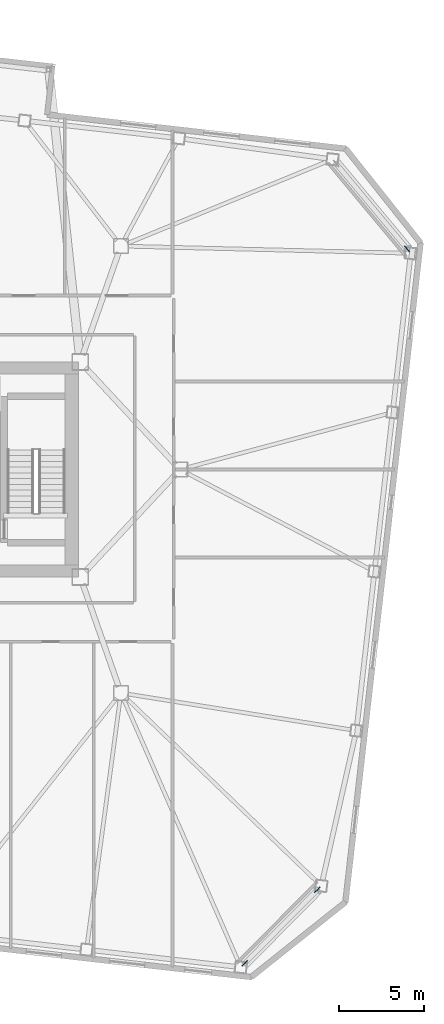
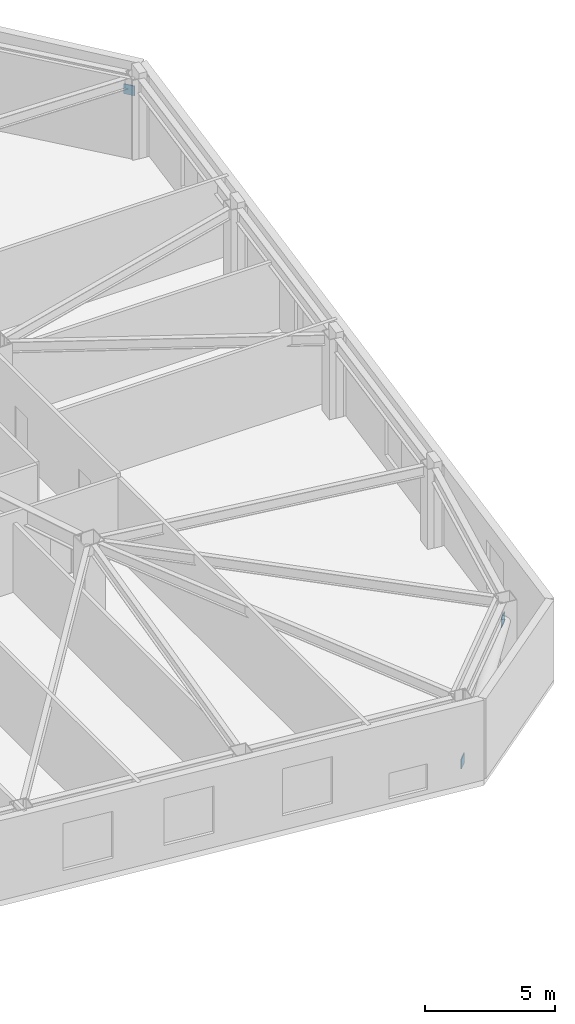
# One storey, part 20 of 22: 3 discrete accessories.
"""IFC4 building model written with IfcOpenShell, lengths in metres."""

from ifc_helpers import new_model, si_unit, direction, frame, origin, origin_2d, place, context, subcontext, project, spatial, rectangle, extrude, material, type_object, element, save


model = new_model("IFC4")

# Units and contexts
model_context = context("Model", 3, precision=1e-05, world=origin(), true_north=direction((0.0, 1.0)))
body_context = subcontext(model_context, "Body", "Model", "MODEL_VIEW")
ifc_project = project(units=[si_unit("LENGTHUNIT", "METRE"), si_unit("AREAUNIT", "SQUARE_METRE"), si_unit("VOLUMEUNIT", "CUBIC_METRE"), si_unit("PLANEANGLEUNIT", "RADIAN"), si_unit("MASSUNIT", "GRAM", prefix="KILO")], contexts=[model_context])

# Site, building, storey
site_placement = place(None, origin())
site = spatial("IfcSite", under=ifc_project, at=site_placement, CompositionType="ELEMENT")
building_placement = place(site_placement, origin())
building = spatial("IfcBuilding", under=site, at=building_placement, Name="Tavrogorsk Clinical Tower", CompositionType="ELEMENT")
storey_placement = place(building_placement, frame((0.0, 0.0, 117.39990234375)))
storey = spatial("IfcBuildingStorey", under=building, at=storey_placement, Name="L26", CompositionType="ELEMENT", Elevation=117.39990234375)

# Discrete accessories
ifc_material = material(Name="Structural steel S440", Category="steel")
discrete_accessory_type = type_object("IfcDiscreteAccessoryType", Name="GussetPlateBracket_25", PredefinedType="BRACKET", material=ifc_material)
for number, where, z_axis, x_axis, name in (
    (1, (31.81640625, -29.1650390625, 0.20458984375), (0.0, 0.0, 1.0), (0.702898299792, 0.711290362756, 0.0), "L26 Brace Gusset Plate EXOCRN-L26-1-A"),
    (2, (36.1025390625, -24.82763671875, 2.67578125), (0.0, 0.0, 1.0), (0.702898299792, 0.711290362756, 0.0), "L26 Brace Gusset Plate EXOCRN-L26-1-B"),
    (3, (41.40771484375, 13.03076171875, 2.68310546875), (0.0, 0.0, 1.0), (0.640243780506, -0.768171791674, 0.0), "L26 Brace Gusset Plate EXOCRN-L26-2-B"),
):
    element("IfcDiscreteAccessory", number, at=place(storey_placement, frame(where, z_axis=z_axis, x_axis=x_axis)), inside=storey, type_object=discrete_accessory_type, Name=name, PredefinedType="BRACKET", context=body_context, shape_type="SweptSolid", body=[
        extrude(rectangle(XDim=0.4599609375, YDim=0.0400390625, at=origin_2d()), origin(), (0.0, 0.0, 1.0), 0.4599609375),
    ])

save(model, "model.ifc")
